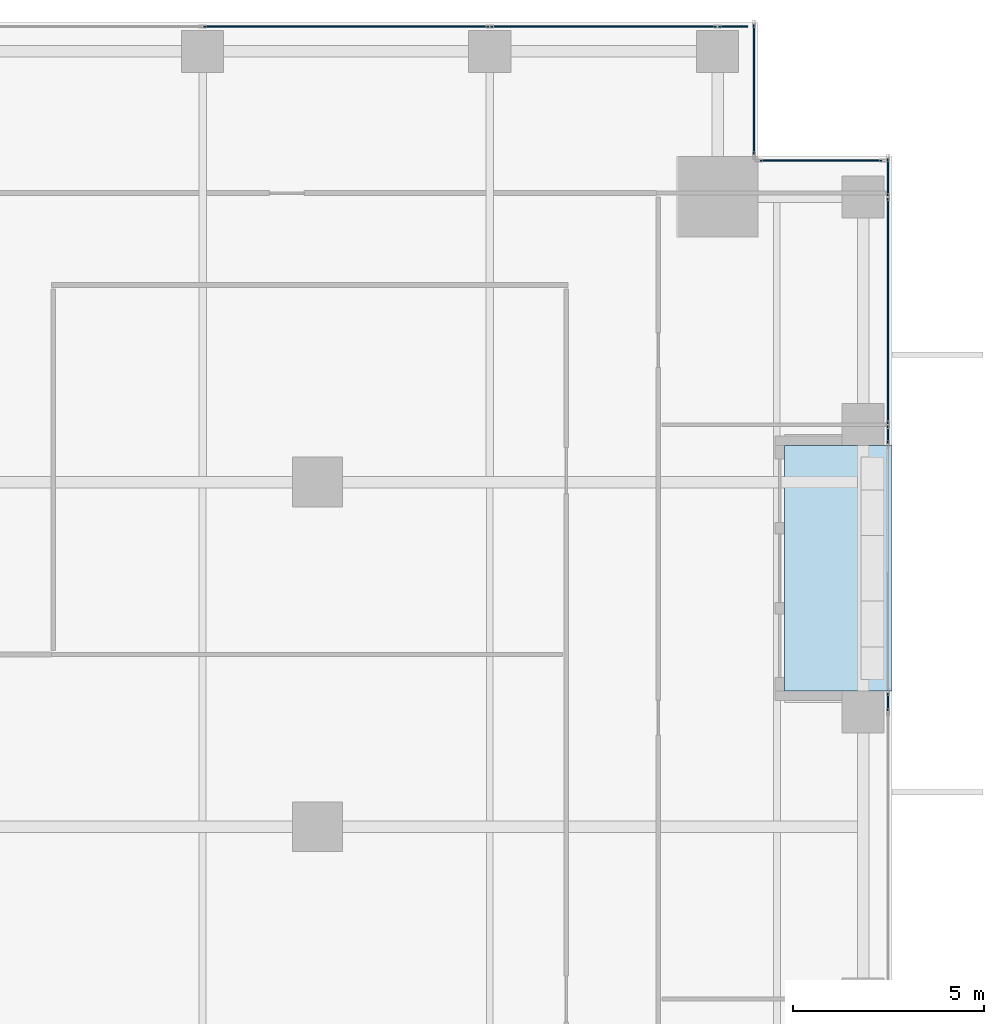
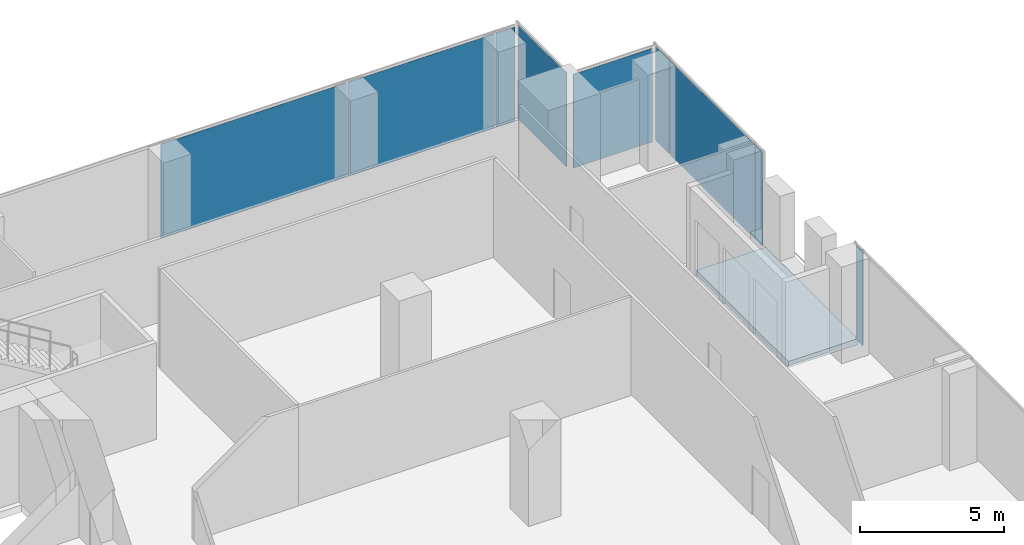
# One storey, part 28 of 35: 9 plates, 1 slab, 5 elements without a shape of their own.
"""IFC4 building model written with IfcOpenShell, lengths in metres."""

from ifc_helpers import new_model, si_unit, direction, frame, origin, origin_2d, place, context, subcontext, project, spatial, polyline, rectangle, outline, extrude, source, transform, mapped, material, layer, layer_set, type_object, element, aggregate, save


model = new_model("IFC4")

# Units and contexts
model_context = context("Model", 3, precision=1e-05, world=origin(), true_north=direction((0.0, 1.0)))
body_context = subcontext(model_context, "Body", "Model", "MODEL_VIEW")
ifc_project = project(units=[si_unit("LENGTHUNIT", "METRE"), si_unit("AREAUNIT", "SQUARE_METRE"), si_unit("VOLUMEUNIT", "CUBIC_METRE"), si_unit("PLANEANGLEUNIT", "RADIAN"), si_unit("MASSUNIT", "GRAM", prefix="KILO")], contexts=[model_context])

# Site, building, storey
site_placement = place(None, origin())
site = spatial("IfcSite", under=ifc_project, at=site_placement, CompositionType="ELEMENT")
building_placement = place(site_placement, origin())
building = spatial("IfcBuilding", under=site, at=building_placement, Name="Khomas Fold Tower", CompositionType="ELEMENT")
storey_placement = place(building_placement, frame((0.0, 0.0, 132.300048828125)))
storey = spatial("IfcBuildingStorey", under=building, at=storey_placement, Name="L28", CompositionType="ELEMENT", Elevation=132.300048828125)

# Curtain wall, plate
ifc_material_1 = material(Name="Aluminium framed double glazing", Category="aluminium")
curtain_wall_type = type_object("IfcCurtainWallType", Name="SK-Unitised clear-glass wall, growing floors CW1", PredefinedType="NOTDEFINED", material=ifc_material_1)
curtain_wall_1_placement = place(storey_placement, origin())
curtain_wall_1 = element("IfcCurtainWall", 1, at=curtain_wall_1_placement, inside=storey, type_object=curtain_wall_type, Name="CW1 run L28 06-0", PredefinedType="NOTDEFINED")
ifc_material_2 = material(Name="Clear double glazed unit")
ifc_layer_1 = layer(ifc_material_2, 0.031982421875)
ifc_layer_set_1 = layer_set([ifc_layer_1], Name="Clear double glazed unit")
plate_type = type_object("IfcPlateType", Name="SK-Unitised clear-glass wall, growing floors glass panel CW1-P", PredefinedType="CURTAIN_PANEL", material=ifc_layer_set_1)
shared_shape_1 = source(origin(), body_context, "Body", "SweptSolid", [
    extrude(rectangle(XDim=0.760009765625, YDim=0.031982421875, at=origin_2d()), origin(), (0.0, 0.0, 1.0), 3.97998046875),
])
plate_1_placement = place(storey_placement, frame((48.360107421875, 52.39990234375, 0.0), z_axis=(0.0, 0.0, 1.0), x_axis=(-1.0, 0.0, 0.0)))
plate_1 = element("IfcPlate", 2, at=plate_1_placement, type_object=plate_type, Name="CW1 glass panel 1", PredefinedType="CURTAIN_PANEL", context=body_context, shape_type="MappedRepresentation", body=[
    mapped(shared_shape_1, transform((0.0, 0.0, 0.0))),
])

curtain_wall_2_placement = place(storey_placement, origin())
curtain_wall_2 = element("IfcCurtainWall", 3, at=curtain_wall_2_placement, inside=storey, type_object=curtain_wall_type, Name="CW1 run L28 03-1", PredefinedType="NOTDEFINED")
shared_shape_2 = source(origin(), body_context, "Body", "SweptSolid", [
    extrude(rectangle(XDim=5.889892578125, YDim=0.031982421875, at=origin_2d()), origin(), (0.0, 0.0, 1.0), 3.97998046875),
])
plate_2_placement = place(storey_placement, frame((52.39990234375, 44.97509765625, 0.0), z_axis=(0.0, 0.0, 1.0), x_axis=(0.0, 1.0, 0.0)))
plate_2 = element("IfcPlate", 4, at=plate_2_placement, type_object=plate_type, Name="CW1 glass panel 2", PredefinedType="CURTAIN_PANEL", context=body_context, shape_type="MappedRepresentation", body=[
    mapped(shared_shape_2, transform((0.0, 0.0, 0.0))),
])

# Plate
plate_3_placement = place(storey_placement, frame((44.97509765625, 52.39990234375, 0.0), z_axis=(0.0, 0.0, 1.0), x_axis=(-1.0, 0.0, 0.0)))
plate_3 = element("IfcPlate", 5, at=plate_3_placement, type_object=plate_type, Name="CW1 glass panel 2", PredefinedType="CURTAIN_PANEL", context=body_context, shape_type="MappedRepresentation", body=[
    mapped(shared_shape_2, transform((0.0, 0.0, 0.0))),
])

shared_shape_3 = source(origin(), body_context, "Body", "SweptSolid", [
    extrude(rectangle(XDim=7.43994140625, YDim=0.031982421875, at=origin_2d()), origin(), (0.0, 0.0, 1.0), 3.97998046875),
])
plate_4_placement = place(storey_placement, frame((38.25, 52.39990234375, 0.0), z_axis=(0.0, 0.0, 1.0), x_axis=(-1.0, 0.0, 0.0)))
plate_4 = element("IfcPlate", 6, at=plate_4_placement, type_object=plate_type, Name="CW1 glass panel 3", PredefinedType="CURTAIN_PANEL", context=body_context, shape_type="MappedRepresentation", body=[
    mapped(shared_shape_3, transform((0.0, 0.0, 0.0))),
])

aggregate(curtain_wall_1, [plate_1, plate_3, plate_4])

shared_shape_4 = source(origin(), body_context, "Body", "SweptSolid", [
    extrude(rectangle(XDim=0.9599609375, YDim=0.031982421875, at=origin_2d()), origin(), (0.0, 0.0, 1.0), 3.97998046875),
])
plate_5_placement = place(storey_placement, frame((52.39990234375, 48.4599609375, 0.0), z_axis=(0.0, 0.0, 1.0), x_axis=(0.0, 1.0, 0.0)))
plate_5 = element("IfcPlate", 7, at=plate_5_placement, type_object=plate_type, Name="CW1 glass panel 3", PredefinedType="CURTAIN_PANEL", context=body_context, shape_type="MappedRepresentation", body=[
    mapped(shared_shape_4, transform((0.0, 0.0, 0.0))),
])

# Curtain wall, plate
curtain_wall_3_placement = place(storey_placement, origin())
curtain_wall_3 = element("IfcCurtainWall", 8, at=curtain_wall_3_placement, inside=storey, type_object=curtain_wall_type, Name="CW1 corner return L28 04", PredefinedType="NOTDEFINED")
shared_shape_5 = source(origin(), body_context, "Body", "SweptSolid", [
    extrude(rectangle(XDim=3.179931640625, YDim=0.031982421875, at=origin_2d()), origin(), (0.0, 0.0, 1.0), 3.97998046875),
])
plate_6_placement = place(storey_placement, frame((50.64990234375, 48.89990234375, 0.0), z_axis=(0.0, 0.0, 1.0), x_axis=(-1.0, 0.0, 0.0)))
plate_6 = element("IfcPlate", 9, at=plate_6_placement, type_object=plate_type, Name="CW1 glass panel 1", PredefinedType="CURTAIN_PANEL", context=body_context, shape_type="MappedRepresentation", body=[
    mapped(shared_shape_5, transform((0.0, 0.0, 0.0))),
])
aggregate(curtain_wall_3, [plate_6])

curtain_wall_4_placement = place(storey_placement, origin())
curtain_wall_4 = element("IfcCurtainWall", 10, at=curtain_wall_4_placement, inside=storey, type_object=curtain_wall_type, Name="CW1 corner return L28 05", PredefinedType="NOTDEFINED")
shared_shape_6 = source(origin(), body_context, "Body", "SweptSolid", [
    extrude(rectangle(XDim=3.3798828125, YDim=0.031982421875, at=origin_2d()), origin(), (0.0, 0.0, 1.0), 3.97998046875),
])
plate_7_placement = place(storey_placement, frame((48.89990234375, 50.75, 0.0), z_axis=(0.0, 0.0, 1.0), x_axis=(0.0, 1.0, 0.0)))
plate_7 = element("IfcPlate", 11, at=plate_7_placement, type_object=plate_type, Name="CW1 glass panel 1", PredefinedType="CURTAIN_PANEL", context=body_context, shape_type="MappedRepresentation", body=[
    mapped(shared_shape_6, transform((0.0, 0.0, 0.0))),
])
aggregate(curtain_wall_4, [plate_7])

curtain_wall_5_placement = place(storey_placement, origin())
curtain_wall_5 = element("IfcCurtainWall", 12, at=curtain_wall_5_placement, inside=storey, type_object=curtain_wall_type, Name="CW1 run L28 03-0", PredefinedType="NOTDEFINED")
shared_shape_7 = source(origin(), body_context, "Body", "SweptSolid", [
    extrude(rectangle(XDim=0.4599609375, YDim=0.031982421875, at=origin_2d()), origin(), (0.0, 0.0, 1.0), 3.97998046875),
])
plate_8_placement = place(storey_placement, frame((52.39990234375, 34.760009765625, 0.0), z_axis=(0.0, 0.0, 1.0), x_axis=(0.0, 1.0, 0.0)))
plate_8 = element("IfcPlate", 13, at=plate_8_placement, type_object=plate_type, Name="CW1 glass panel 6", PredefinedType="CURTAIN_PANEL", context=body_context, shape_type="MappedRepresentation", body=[
    mapped(shared_shape_7, transform((0.0, 0.0, 0.0))),
])
aggregate(curtain_wall_5, [plate_8])

# Plate
plate_9_placement = place(storey_placement, frame((52.39990234375, 41.739990234375, 0.0), z_axis=(0.0, 0.0, 1.0), x_axis=(0.0, 1.0, 0.0)))
plate_9 = element("IfcPlate", 14, at=plate_9_placement, type_object=plate_type, Name="CW1 glass panel 1", PredefinedType="CURTAIN_PANEL", context=body_context, shape_type="MappedRepresentation", body=[
    mapped(shared_shape_7, transform((0.0, 0.0, 0.0))),
])

aggregate(curtain_wall_2, [plate_9, plate_2, plate_5])

# Slab
ifc_material_3 = material(Name="Concrete C40/50", Category="concrete")
ifc_layer_2 = layer(ifc_material_3, 0.2548828125)
ifc_layer_set_2 = layer_set([ifc_layer_2], Name="Concrete C40/50")
slab_type = type_object("IfcSlabType", Name="BL-Balcony deck 255", PredefinedType="FLOOR", material=ifc_layer_set_2)
shared_shape_8 = source(origin(), body_context, "Body", "SweptSolid", [
    extrude(outline(polyline([(49.699951171875, 35.050048828125), (52.5, 35.050048828125), (52.5, 41.449951171875), (49.699951171875, 41.449951171875), (49.699951171875, 35.050048828125)])), origin(), (0.0, 0.0, 1.0), 0.2548828125),
])
slab_placement = place(storey_placement, frame((0.0, 0.0, -0.300048828125)))
element("IfcSlab", 15, at=slab_placement, inside=storey, type_object=slab_type, Name="Balcony deck BAL-L28-E4", PredefinedType="FLOOR", context=body_context, shape_type="MappedRepresentation", body=[
    mapped(shared_shape_8, transform((0.0, 0.0, 0.0))),
])

save(model, "model.ifc")
